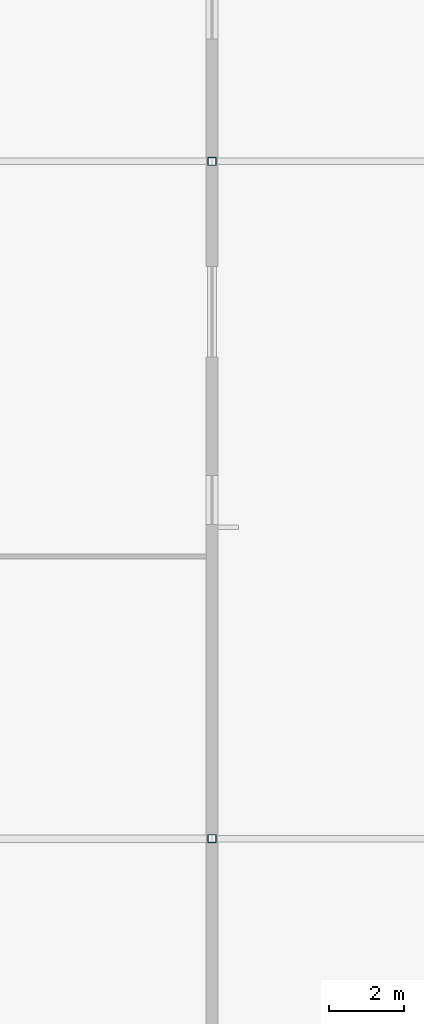
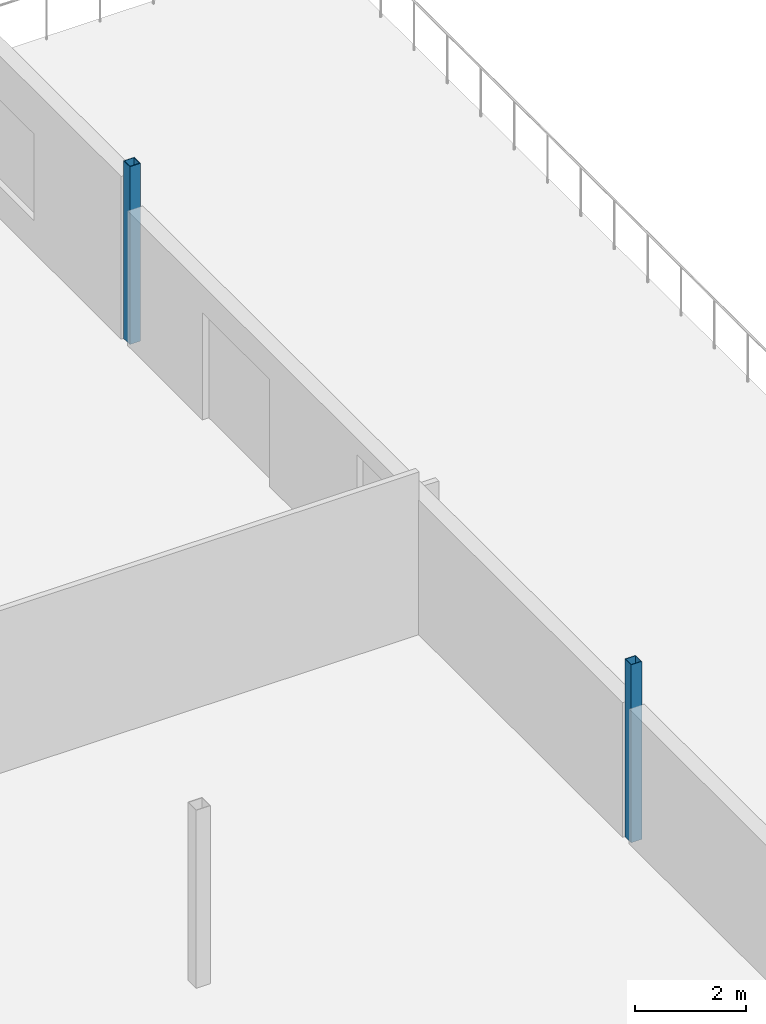
# One storey, part 8 of 55: 2 columns.
"""IFC4 building model written with IfcOpenShell, lengths in metres."""

from ifc_helpers import new_model, si_unit, direction, frame, origin, origin_2d, place, context, subcontext, project, spatial, hollow_rectangle, extrude, material, material_profile, profile_set, type_object, element, save


model = new_model("IFC4")

# Units and contexts
model_context = context("Model", 3, precision=1e-05, world=origin(), true_north=direction((0.0, 1.0)))
body_context = subcontext(model_context, "Body", "Model", "MODEL_VIEW")
ifc_project = project(units=[si_unit("LENGTHUNIT", "METRE"), si_unit("AREAUNIT", "SQUARE_METRE"), si_unit("VOLUMEUNIT", "CUBIC_METRE"), si_unit("PLANEANGLEUNIT", "RADIAN"), si_unit("MASSUNIT", "GRAM", prefix="KILO")], contexts=[model_context])

# Site, building, storey
site_placement = place(None, origin())
site = spatial("IfcSite", under=ifc_project, at=site_placement, CompositionType="ELEMENT")
building_placement = place(site_placement, origin())
building = spatial("IfcBuilding", under=site, at=building_placement, Name="Kisiwana Market Hall", CompositionType="ELEMENT")
storey_placement = place(building_placement, frame((0.0, 0.0, 37.800048828125)))
storey = spatial("IfcBuildingStorey", under=building, at=storey_placement, Name="L08", CompositionType="ELEMENT", Elevation=37.800048828125)

# Columns
ifc_material = material(Name="Steel S355", Category="steel")
ifc_material_profile = material_profile(ifc_material, hollow_rectangle(XDim=0.219970703125, YDim=0.219970703125, WallThickness=0.010009765625, at=origin_2d()), Name="SHS 220x220x10")
ifc_profile_set = profile_set([ifc_material_profile], Name="Steel S355")
column_type = type_object("IfcColumnType", Name="COL-STL-SHS220", PredefinedType="COLUMN", material=ifc_profile_set)
for number, where, z_axis, x_axis, name in (
    (1, (36.0, 84.0, 0.0), (0.0, 0.0, 1.0), (1.0, 0.0, 0.0), "Column L/5 (L08) C-1177"),
    (2, (36.0, 102.0, 0.0), (0.0, 0.0, 1.0), (1.0, 0.0, 0.0), "Column N/5 (L08) C-1178"),
):
    element("IfcColumn", number, at=place(storey_placement, frame(where, z_axis=z_axis, x_axis=x_axis)), inside=storey, type_object=column_type, Name=name, PredefinedType="COLUMN", context=body_context, shape_type="SweptSolid", body=[
        extrude(hollow_rectangle(XDim=0.219970703125, YDim=0.219970703125, WallThickness=0.010009765625, at=origin_2d()), origin(), (0.0, 0.0, 1.0), 3.89990234375),
    ])

save(model, "model.ifc")
